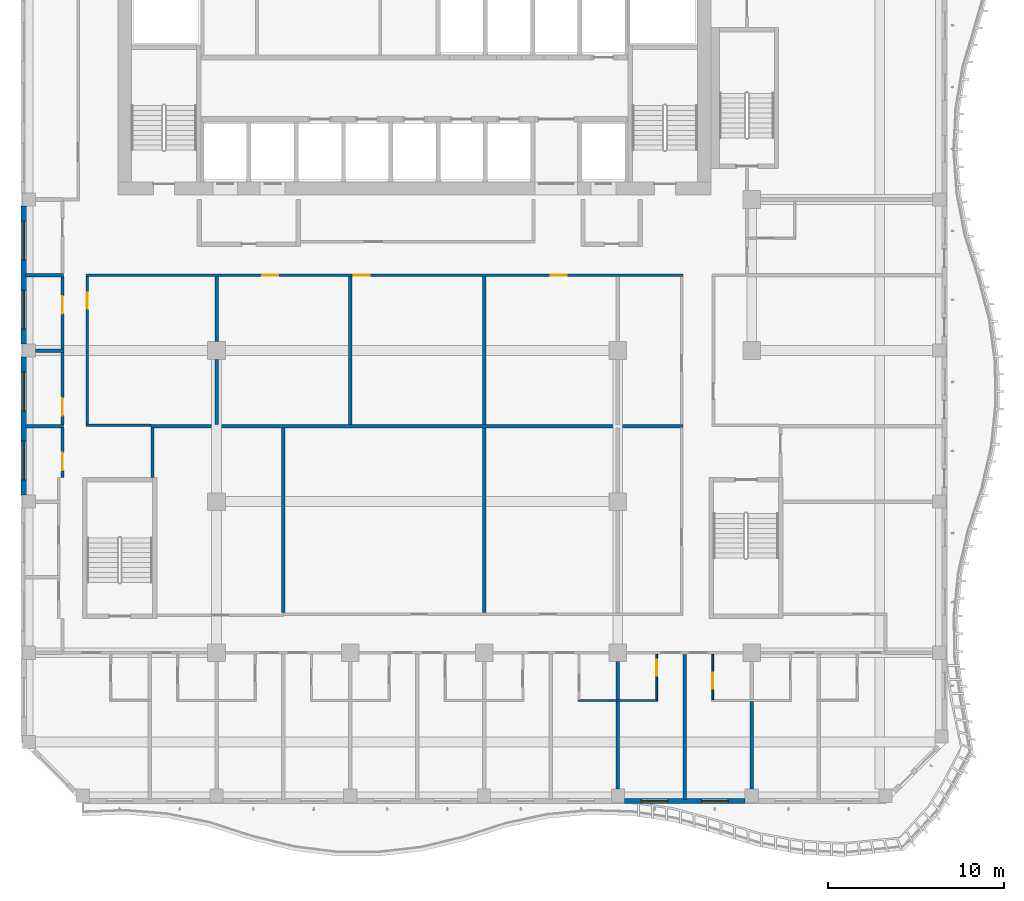
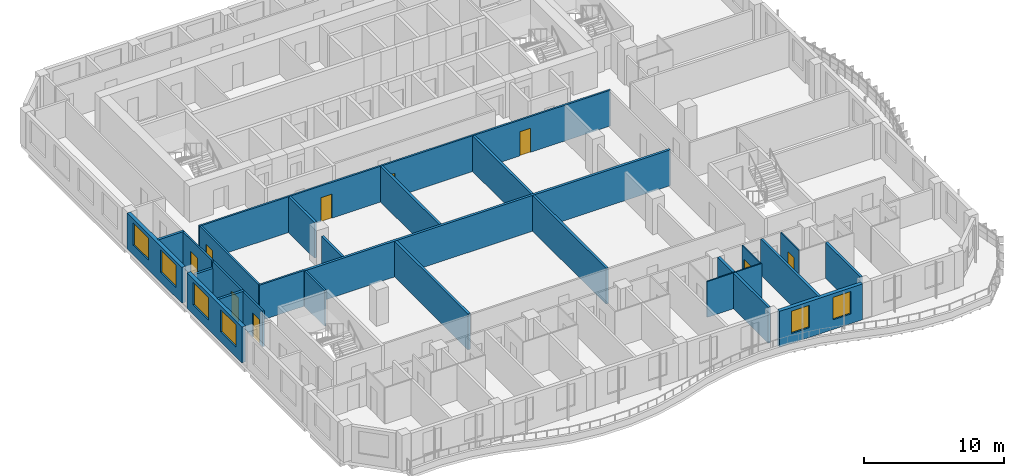
# One storey, part 4 of 22: 27 walls, 9 doors, 6 windows, 15 openings.
"""IFC4 building model written with IfcOpenShell, lengths in metres."""

from ifc_helpers import new_model, si_unit, direction, frame, frame_2d, origin, place, context, subcontext, project, spatial, rectangle, extrude, source, transform, mapped, material, layer, layer_set, type_object, element, fill, save


model = new_model("IFC4")

# Units and contexts
model_context = context("Model", 3, precision=1e-05, world=origin(), true_north=direction((0.0, 1.0)))
body_context = subcontext(model_context, "Body", "Model", "MODEL_VIEW")
ifc_project = project(units=[si_unit("LENGTHUNIT", "METRE"), si_unit("AREAUNIT", "SQUARE_METRE"), si_unit("VOLUMEUNIT", "CUBIC_METRE"), si_unit("PLANEANGLEUNIT", "RADIAN"), si_unit("MASSUNIT", "GRAM", prefix="KILO")], contexts=[model_context])

# Site, building, storey
site_placement = place(None, origin())
site = spatial("IfcSite", under=ifc_project, at=site_placement, CompositionType="ELEMENT")
building_placement = place(site_placement, origin())
building = spatial("IfcBuilding", under=site, at=building_placement, Name="Kilnfold Tower and Market Hall", CompositionType="ELEMENT")
storey_placement = place(building_placement, frame((0.0, 0.0, 206.699951171875)))
storey = spatial("IfcBuildingStorey", under=building, at=storey_placement, Name="L50", CompositionType="ELEMENT", Elevation=206.699951171875)

# Wall, opening, door
ifc_material_1 = material(Name="Gypsum board on steel studs", Category="steel")
ifc_layer_1 = layer(ifc_material_1, 0.14990234375)
ifc_layer_set_1 = layer_set([ifc_layer_1], Name="Gypsum board on steel studs")
wall_type_1 = type_object("IfcWallType", Name="WALL CORRIDOR 150", PredefinedType="PARTITIONING", material=ifc_layer_set_1)
wall_1_placement = place(storey_placement, frame((-18.89990234375, -7.757080078125, 0.0), z_axis=(0.0, 0.0, 1.0), x_axis=(0.0, 1.0, 0.0)))
wall_1 = element("IfcWall", 1, at=wall_1_placement, inside=storey, type_object=wall_type_1, Name="Partition LY30.12", PredefinedType="PARTITIONING", context=body_context, shape_type="SweptSolid", body=[
    extrude(rectangle(XDim=2.823974609375, YDim=0.14990234375, at=frame_2d((1.412109375, 0.0))), origin(), (0.0, 0.0, 1.0), 3.1201171875),
])
opening_1_placement = place(wall_1_placement, frame((0.403076171875, 0.0, 0.0)))
opening_1 = element("IfcOpeningElement", 2, at=opening_1_placement, cuts=wall_1, Name="Opening D4", PredefinedType="OPENING", context=body_context, shape_type="SweptSolid", body=[
    extrude(rectangle(XDim=1.0, YDim=2.10009765625, at=frame_2d((0.5, 1.050048828125))), frame((0.0, 0.0849609375, 0.0), z_axis=(0.0, -1.0, 0.0), x_axis=(1.0, 0.0, 0.0)), (0.0, 0.0, 1.0), 0.169921875),
])
ifc_material_2 = material(Name="Timber veneer door leaf in steel frame", Category="steel")
door_type_1 = type_object("IfcDoorType", Name="DOOR SERVICE 1000 X2100", OperationType="NOTDEFINED", PredefinedType="DOOR", material=ifc_material_2)
door_1_placement = place(opening_1_placement, origin())
door_1 = element("IfcDoor", 3, at=door_1_placement, inside=storey, type_object=door_type_1, Name="Door D4", OperationType="SINGLE_SWING_LEFT", OverallHeight=2.10009765625, OverallWidth=1.0, PredefinedType="DOOR", context=body_context, shape_type="SweptSolid", body=[
    extrude(rectangle(XDim=1.0, YDim=2.10009765625, at=frame_2d((0.5, 1.050048828125))), frame((0.0, 0.02490234375, 0.0), z_axis=(0.0, -1.0, 0.0), x_axis=(1.0, 0.0, 0.0)), (0.0, 0.0, 1.0), 0.050048828125),
])
fill(opening_1, door_1)

wall_2_placement = place(storey_placement, frame((-18.89990234375, -4.7529296875, 0.0), z_axis=(0.0, 0.0, 1.0), x_axis=(0.0, 1.0, 0.0)))
wall_2 = element("IfcWall", 4, at=wall_2_placement, inside=storey, type_object=wall_type_1, Name="Partition LY30.14", PredefinedType="PARTITIONING", context=body_context, shape_type="SweptSolid", body=[
    extrude(rectangle(XDim=4.100830078125, YDim=0.14990234375, at=frame_2d((2.05029296875, 0.0))), origin(), (0.0, 0.0, 1.0), 3.1201171875),
])
opening_2_placement = place(wall_2_placement, frame((0.5, 0.0, 0.0)))
opening_2 = element("IfcOpeningElement", 5, at=opening_2_placement, cuts=wall_2, Name="Opening D4", PredefinedType="OPENING", context=body_context, shape_type="SweptSolid", body=[
    extrude(rectangle(XDim=1.0, YDim=2.10009765625, at=frame_2d((0.5, 1.050048828125))), frame((0.0, 0.0849609375, 0.0), z_axis=(0.0, -1.0, 0.0), x_axis=(1.0, 0.0, 0.0)), (0.0, 0.0, 1.0), 0.169921875),
])
door_2_placement = place(opening_2_placement, origin())
door_2 = element("IfcDoor", 6, at=door_2_placement, inside=storey, type_object=door_type_1, Name="Door D4", OperationType="SINGLE_SWING_LEFT", OverallHeight=2.10009765625, OverallWidth=1.0, PredefinedType="DOOR", context=body_context, shape_type="SweptSolid", body=[
    extrude(rectangle(XDim=1.0, YDim=2.10009765625, at=frame_2d((0.5, 1.050048828125))), frame((0.0, 0.02490234375, 0.0), z_axis=(0.0, -1.0, 0.0), x_axis=(1.0, 0.0, 0.0)), (0.0, 0.0, 1.0), 0.050048828125),
])
fill(opening_2, door_2)

wall_3_placement = place(storey_placement, frame((-18.89990234375, -0.471923828125, 0.0), z_axis=(0.0, 0.0, 1.0), x_axis=(0.0, 1.0, 0.0)))
wall_3 = element("IfcWall", 7, at=wall_3_placement, inside=storey, type_object=wall_type_1, Name="Partition LY30.15", PredefinedType="PARTITIONING", context=body_context, shape_type="SweptSolid", body=[
    extrude(rectangle(XDim=4.100830078125, YDim=0.14990234375, at=frame_2d((2.05029296875, 0.0))), origin(), (0.0, 0.0, 1.0), 3.1201171875),
])
opening_3_placement = place(wall_3_placement, frame((2.0009765625, 0.0, 0.0)))
opening_3 = element("IfcOpeningElement", 8, at=opening_3_placement, cuts=wall_3, Name="Opening D4", PredefinedType="OPENING", context=body_context, shape_type="SweptSolid", body=[
    extrude(rectangle(XDim=1.0, YDim=2.10009765625, at=frame_2d((0.5, 1.050048828125))), frame((0.0, 0.0849609375, 0.0), z_axis=(0.0, -1.0, 0.0), x_axis=(1.0, 0.0, 0.0)), (0.0, 0.0, 1.0), 0.169921875),
])
door_3_placement = place(opening_3_placement, origin())
door_3 = element("IfcDoor", 9, at=door_3_placement, inside=storey, type_object=door_type_1, Name="Door D4", OperationType="SINGLE_SWING_RIGHT", OverallHeight=2.10009765625, OverallWidth=1.0, PredefinedType="DOOR", context=body_context, shape_type="SweptSolid", body=[
    extrude(rectangle(XDim=1.0, YDim=2.10009765625, at=frame_2d((0.5, 1.050048828125))), frame((0.0, 0.02490234375, 0.0), z_axis=(0.0, -1.0, 0.0), x_axis=(1.0, 0.0, 0.0)), (0.0, 0.0, 1.0), 0.050048828125),
])
fill(opening_3, door_3)

# Wall
wall_4_placement = place(storey_placement, frame((-17.574951171875, -4.800048828125, 0.0), z_axis=(0.0, 0.0, 1.0), x_axis=(1.0, 0.0, 0.0)))
element("IfcWall", 10, at=wall_4_placement, inside=storey, type_object=wall_type_1, Name="Partition LY30.34", PredefinedType="PARTITIONING", context=body_context, shape_type="SweptSolid", body=[
    extrude(rectangle(XDim=3.701904296875, YDim=0.14990234375, at=frame_2d((1.85107421875, 0.0))), origin(), (0.0, 0.0, 1.0), 3.1201171875),
])

# Wall, openings, doors
wall_5_placement = place(storey_placement, frame((-17.574951171875, 3.699951171875, 0.0), z_axis=(0.0, 0.0, 1.0), x_axis=(1.0, 0.0, 0.0)))
wall_5 = element("IfcWall", 11, at=wall_5_placement, inside=storey, type_object=wall_type_1, Name="Partition LY30.35", PredefinedType="PARTITIONING", context=body_context, shape_type="SweptSolid", body=[
    extrude(rectangle(XDim=33.849853515625, YDim=0.14990234375, at=frame_2d((16.9248046875, 0.0))), origin(), (0.0, 0.0, 1.0), 3.1201171875),
])
opening_4_placement = place(wall_5_placement, frame((10.0, 0.0, 0.0)))
opening_4 = element("IfcOpeningElement", 12, at=opening_4_placement, cuts=wall_5, Name="Opening D2", PredefinedType="OPENING", context=body_context, shape_type="SweptSolid", body=[
    extrude(rectangle(XDim=0.89990234375, YDim=2.10009765625, at=frame_2d((0.449951171875, 1.050048828125))), frame((0.0, 0.0849609375, 0.0), z_axis=(0.0, -1.0, 0.0), x_axis=(1.0, 0.0, 0.0)), (0.0, 0.0, 1.0), 0.169921875),
])
opening_5_placement = place(wall_5_placement, frame((15.181884765625, 0.0, 0.0)))
opening_5 = element("IfcOpeningElement", 13, at=opening_5_placement, cuts=wall_5, Name="Opening D2", PredefinedType="OPENING", context=body_context, shape_type="SweptSolid", body=[
    extrude(rectangle(XDim=0.89990234375, YDim=2.10009765625, at=frame_2d((0.449951171875, 1.050048828125))), frame((0.0, 0.0849609375, 0.0), z_axis=(0.0, -1.0, 0.0), x_axis=(1.0, 0.0, 0.0)), (0.0, 0.0, 1.0), 0.169921875),
])
opening_6_placement = place(wall_5_placement, frame((26.366943359375, 0.0, 0.0)))
opening_6 = element("IfcOpeningElement", 14, at=opening_6_placement, cuts=wall_5, Name="Opening D2", PredefinedType="OPENING", context=body_context, shape_type="SweptSolid", body=[
    extrude(rectangle(XDim=0.89990234375, YDim=2.10009765625, at=frame_2d((0.449951171875, 1.050048828125))), frame((0.0, 0.0849609375, 0.0), z_axis=(0.0, -1.0, 0.0), x_axis=(1.0, 0.0, 0.0)), (0.0, 0.0, 1.0), 0.169921875),
])
ifc_material_3 = material(Name="Timber veneer door leaf in steel frame", Category="steel")
door_type_2 = type_object("IfcDoorType", Name="DOOR ROOM 900 X2100", OperationType="NOTDEFINED", PredefinedType="DOOR", material=ifc_material_3)
door_4_placement = place(opening_4_placement, origin())
door_4 = element("IfcDoor", 15, at=door_4_placement, inside=storey, type_object=door_type_2, Name="Door D2", OperationType="SINGLE_SWING_LEFT", OverallHeight=2.10009765625, OverallWidth=0.89990234375, PredefinedType="DOOR", context=body_context, shape_type="SweptSolid", body=[
    extrude(rectangle(XDim=0.89990234375, YDim=2.10009765625, at=frame_2d((0.449951171875, 1.050048828125))), frame((0.0, 0.02490234375, 0.0), z_axis=(0.0, -1.0, 0.0), x_axis=(1.0, 0.0, 0.0)), (0.0, 0.0, 1.0), 0.050048828125),
])
fill(opening_4, door_4)
door_5_placement = place(opening_5_placement, origin())
door_5 = element("IfcDoor", 16, at=door_5_placement, inside=storey, type_object=door_type_2, Name="Door D2", OperationType="SINGLE_SWING_LEFT", OverallHeight=2.10009765625, OverallWidth=0.89990234375, PredefinedType="DOOR", context=body_context, shape_type="SweptSolid", body=[
    extrude(rectangle(XDim=0.89990234375, YDim=2.10009765625, at=frame_2d((0.449951171875, 1.050048828125))), frame((0.0, 0.02490234375, 0.0), z_axis=(0.0, -1.0, 0.0), x_axis=(1.0, 0.0, 0.0)), (0.0, 0.0, 1.0), 0.050048828125),
])
fill(opening_5, door_5)
door_6_placement = place(opening_6_placement, origin())
door_6 = element("IfcDoor", 17, at=door_6_placement, inside=storey, type_object=door_type_2, Name="Door D2", OperationType="SINGLE_SWING_LEFT", OverallHeight=2.10009765625, OverallWidth=0.89990234375, PredefinedType="DOOR", context=body_context, shape_type="SweptSolid", body=[
    extrude(rectangle(XDim=0.89990234375, YDim=2.10009765625, at=frame_2d((0.449951171875, 1.050048828125))), frame((0.0, 0.02490234375, 0.0), z_axis=(0.0, -1.0, 0.0), x_axis=(1.0, 0.0, 0.0)), (0.0, 0.0, 1.0), 0.050048828125),
])
fill(opening_6, door_6)

# Wall, opening, door
wall_6_placement = place(storey_placement, frame((-17.5, -4.72509765625, 0.0), z_axis=(0.0, 0.0, 1.0), x_axis=(0.0, 1.0, 0.0)))
wall_6 = element("IfcWall", 18, at=wall_6_placement, inside=storey, type_object=wall_type_1, Name="Partition LY30.36", PredefinedType="PARTITIONING", context=body_context, shape_type="SweptSolid", body=[
    extrude(rectangle(XDim=8.35009765625, YDim=0.14990234375, at=frame_2d((4.175048828125, 0.0))), origin(), (0.0, 0.0, 1.0), 3.1201171875),
])
opening_7_placement = place(wall_6_placement, frame((6.544921875, 0.0, 0.0)))
opening_7 = element("IfcOpeningElement", 19, at=opening_7_placement, cuts=wall_6, Name="Opening D2", PredefinedType="OPENING", context=body_context, shape_type="SweptSolid", body=[
    extrude(rectangle(XDim=0.89990234375, YDim=2.10009765625, at=frame_2d((0.449951171875, 1.050048828125))), frame((0.0, 0.0849609375, 0.0), z_axis=(0.0, -1.0, 0.0), x_axis=(1.0, 0.0, 0.0)), (0.0, 0.0, 1.0), 0.169921875),
])
door_7_placement = place(opening_7_placement, origin())
door_7 = element("IfcDoor", 20, at=door_7_placement, inside=storey, type_object=door_type_2, Name="Door D2", OperationType="SINGLE_SWING_RIGHT", OverallHeight=2.10009765625, OverallWidth=0.89990234375, PredefinedType="DOOR", context=body_context, shape_type="SweptSolid", body=[
    extrude(rectangle(XDim=0.89990234375, YDim=2.10009765625, at=frame_2d((0.449951171875, 1.050048828125))), frame((0.0, 0.02490234375, 0.0), z_axis=(0.0, -1.0, 0.0), x_axis=(1.0, 0.0, 0.0)), (0.0, 0.0, 1.0), 0.050048828125),
])
fill(opening_7, door_7)

# Walls
wall_7_placement = place(storey_placement, frame((-13.800048828125, -7.75, 0.0), z_axis=(0.0, 0.0, 1.0), x_axis=(0.0, 1.0, 0.0)))
element("IfcWall", 21, at=wall_7_placement, inside=storey, type_object=wall_type_1, Name="Partition LY30.38", PredefinedType="PARTITIONING", context=body_context, shape_type="SweptSolid", body=[
    extrude(rectangle(XDim=2.81689453125, YDim=0.14990234375, at=frame_2d((1.408447265625, 0.0))), origin(), (0.0, 0.0, 1.0), 3.1201171875),
])
ifc_material_4 = material(Name="Gypsum board on steel studs", Category="steel")
ifc_layer_2 = layer(ifc_material_4, 0.10009765625)
ifc_layer_set_2 = layer_set([ifc_layer_2], Name="Gypsum board on steel studs")
wall_type_2 = type_object("IfcWallType", Name="WALL PARTITION 100", PredefinedType="PARTITIONING", material=ifc_layer_set_2)
wall_8_placement = place(storey_placement, frame((10.3330078125, -20.402099609375, 0.0), z_axis=(0.0, 0.0, 1.0), x_axis=(1.0, 0.0, 0.0)))
element("IfcWall", 22, at=wall_8_placement, inside=storey, type_object=wall_type_2, Name="Partition LY30.66", PredefinedType="PARTITIONING", context=body_context, shape_type="SweptSolid", body=[
    extrude(rectangle(XDim=4.5, YDim=0.10009765625, at=frame_2d((2.25, 0.0))), origin(), (0.0, 0.0, 1.0), 3.1201171875),
])

# Wall, opening, door
wall_9_placement = place(storey_placement, frame((14.782958984375, -17.777099609375, 0.0), z_axis=(0.0, 0.0, 1.0), x_axis=(0.0, -1.0, 0.0)))
wall_9 = element("IfcWall", 23, at=wall_9_placement, inside=storey, type_object=wall_type_2, Name="Partition LY30.69", PredefinedType="PARTITIONING", context=body_context, shape_type="SweptSolid", body=[
    extrude(rectangle(XDim=2.574951171875, YDim=0.10009765625, at=frame_2d((1.28759765625, 0.0))), origin(), (0.0, 0.0, 1.0), 3.1201171875),
])
opening_8_placement = place(wall_9_placement, frame((0.305908203125, 0.0, 0.0)))
opening_8 = element("IfcOpeningElement", 24, at=opening_8_placement, cuts=wall_9, Name="Opening D3", PredefinedType="OPENING", context=body_context, shape_type="SweptSolid", body=[
    extrude(rectangle(XDim=0.89990234375, YDim=2.10009765625, at=frame_2d((0.449951171875, 1.050048828125))), frame((0.0, 0.06005859375, 0.0), z_axis=(0.0, -1.0, 0.0), x_axis=(1.0, 0.0, 0.0)), (0.0, 0.0, 1.0), 0.1201171875),
])
ifc_material_5 = material(Name="Timber veneer door leaf in steel frame", Category="steel")
door_type_3 = type_object("IfcDoorType", Name="DOOR WC 900 X2100", OperationType="NOTDEFINED", PredefinedType="DOOR", material=ifc_material_5)
door_8_placement = place(opening_8_placement, origin())
door_8 = element("IfcDoor", 25, at=door_8_placement, inside=storey, type_object=door_type_3, Name="Door D3", OperationType="SINGLE_SWING_RIGHT", OverallHeight=2.10009765625, OverallWidth=0.89990234375, PredefinedType="DOOR", context=body_context, shape_type="SweptSolid", body=[
    extrude(rectangle(XDim=0.89990234375, YDim=2.10009765625, at=frame_2d((0.449951171875, 1.050048828125))), frame((0.0, 0.02490234375, 0.0), z_axis=(0.0, -1.0, 0.0), x_axis=(1.0, 0.0, 0.0)), (0.0, 0.0, 1.0), 0.050048828125),
])
fill(opening_8, door_8)

wall_10_placement = place(storey_placement, frame((17.967041015625, -20.35205078125, 0.0), z_axis=(0.0, 0.0, 1.0), x_axis=(0.0, 1.0, 0.0)))
wall_10 = element("IfcWall", 26, at=wall_10_placement, inside=storey, type_object=wall_type_2, Name="Partition LY30.71", PredefinedType="PARTITIONING", context=body_context, shape_type="SweptSolid", body=[
    extrude(rectangle(XDim=2.574951171875, YDim=0.10009765625, at=frame_2d((1.28759765625, 0.0))), origin(), (0.0, 0.0, 1.0), 3.1201171875),
])
opening_9_placement = place(wall_10_placement, frame((0.625, 0.0, 0.0)))
opening_9 = element("IfcOpeningElement", 27, at=opening_9_placement, cuts=wall_10, Name="Opening D3", PredefinedType="OPENING", context=body_context, shape_type="SweptSolid", body=[
    extrude(rectangle(XDim=0.89990234375, YDim=2.10009765625, at=frame_2d((0.449951171875, 1.050048828125))), frame((0.0, 0.06005859375, 0.0), z_axis=(0.0, -1.0, 0.0), x_axis=(1.0, 0.0, 0.0)), (0.0, 0.0, 1.0), 0.1201171875),
])
door_9_placement = place(opening_9_placement, origin())
door_9 = element("IfcDoor", 28, at=door_9_placement, inside=storey, type_object=door_type_3, Name="Door D3", OperationType="SINGLE_SWING_LEFT", OverallHeight=2.10009765625, OverallWidth=0.89990234375, PredefinedType="DOOR", context=body_context, shape_type="SweptSolid", body=[
    extrude(rectangle(XDim=0.89990234375, YDim=2.10009765625, at=frame_2d((0.449951171875, 1.050048828125))), frame((0.0, 0.02490234375, 0.0), z_axis=(0.0, -1.0, 0.0), x_axis=(1.0, 0.0, 0.0)), (0.0, 0.0, 1.0), 0.050048828125),
])
fill(opening_9, door_9)

# Walls
ifc_material_6 = material(Name="Gypsum board on steel studs", Category="steel")
ifc_layer_3 = layer(ifc_material_6, 0.199951171875)
ifc_layer_set_3 = layer_set([ifc_layer_3], Name="Gypsum board on steel studs")
wall_type_3 = type_object("IfcWallType", Name="WALL PARTY 200", PredefinedType="PARTITIONING", material=ifc_layer_set_3)
wall_11_placement = place(storey_placement, frame((12.5830078125, -25.425048828125, 0.0), z_axis=(0.0, 0.0, 1.0), x_axis=(0.0, 1.0, 0.0)))
element("IfcWall", 29, at=wall_11_placement, inside=storey, type_object=wall_type_3, Name="Partition LY30.67", PredefinedType="PARTITIONING", context=body_context, shape_type="SweptSolid", body=[
    extrude(rectangle(XDim=4.97314453125, YDim=0.199951171875, at=frame_2d((2.486572265625, 0.0))), origin(), (0.0, 0.0, 1.0), 3.1201171875),
])
wall_12_placement = place(storey_placement, frame((12.5830078125, -20.35205078125, 0.0), z_axis=(0.0, 0.0, 1.0), x_axis=(0.0, 1.0, 0.0)))
element("IfcWall", 30, at=wall_12_placement, inside=storey, type_object=wall_type_3, Name="Partition LY30.68", PredefinedType="PARTITIONING", context=body_context, shape_type="SweptSolid", body=[
    extrude(rectangle(XDim=2.1640625, YDim=0.199951171875, at=frame_2d((1.08203125, 0.0))), origin(), (0.0, 0.0, 1.0), 3.1201171875),
])
wall_13_placement = place(storey_placement, frame((16.375, -26.0, 0.0), z_axis=(0.0, 0.0, 1.0), x_axis=(0.0, 1.0, 0.0)))
element("IfcWall", 31, at=wall_13_placement, inside=storey, type_object=wall_type_3, Name="Partition LY30.70", PredefinedType="PARTITIONING", context=body_context, shape_type="SweptSolid", body=[
    extrude(rectangle(XDim=8.222900390625, YDim=0.199951171875, at=frame_2d((4.111328125, 0.0))), origin(), (0.0, 0.0, 1.0), 3.1201171875),
])
wall_14_placement = place(storey_placement, frame((20.1669921875, -25.425048828125, 0.0), z_axis=(0.0, 0.0, 1.0), x_axis=(0.0, 1.0, 0.0)))
element("IfcWall", 32, at=wall_14_placement, inside=storey, type_object=wall_type_3, Name="Partition LY30.73", PredefinedType="PARTITIONING", context=body_context, shape_type="SweptSolid", body=[
    extrude(rectangle(XDim=4.97314453125, YDim=0.199951171875, at=frame_2d((2.486572265625, 0.0))), origin(), (0.0, 0.0, 1.0), 3.1201171875),
])
wall_15_placement = place(storey_placement, frame((-21.0, -4.843017578125, 0.0), z_axis=(0.0, 0.0, 1.0), x_axis=(1.0, 0.0, 0.0)))
element("IfcWall", 33, at=wall_15_placement, inside=storey, type_object=wall_type_3, Name="Partition LY30.85", PredefinedType="PARTITIONING", context=body_context, shape_type="SweptSolid", body=[
    extrude(rectangle(XDim=2.173095703125, YDim=0.199951171875, at=frame_2d((1.08642578125, 0.0))), origin(), (0.0, 0.0, 1.0), 3.1201171875),
])
wall_16_placement = place(storey_placement, frame((-18.826904296875, -0.56201171875, 0.0), z_axis=(0.0, 0.0, 1.0), x_axis=(-1.0, 0.0, 0.0)))
element("IfcWall", 34, at=wall_16_placement, inside=storey, type_object=wall_type_3, Name="Partition LY30.86", PredefinedType="PARTITIONING", context=body_context, shape_type="SweptSolid", body=[
    extrude(rectangle(XDim=1.59814453125, YDim=0.199951171875, at=frame_2d((0.799072265625, 0.0))), origin(), (0.0, 0.0, 1.0), 2.52001953125),
])
wall_17_placement = place(storey_placement, frame((-21.0, 3.718994140625, 0.0), z_axis=(0.0, 0.0, 1.0), x_axis=(1.0, 0.0, 0.0)))
element("IfcWall", 35, at=wall_17_placement, inside=storey, type_object=wall_type_3, Name="Partition LY30.87", PredefinedType="PARTITIONING", context=body_context, shape_type="SweptSolid", body=[
    extrude(rectangle(XDim=2.173095703125, YDim=0.199951171875, at=frame_2d((1.08642578125, 0.0))), origin(), (0.0, 0.0, 1.0), 3.1201171875),
])
wall_18_placement = place(storey_placement, frame((-10.1669921875, -0.06201171875, 0.0), z_axis=(0.0, 0.0, 1.0), x_axis=(0.0, 1.0, 0.0)))
element("IfcWall", 36, at=wall_18_placement, inside=storey, type_object=wall_type_3, Name="Partition LY30.110", PredefinedType="PARTITIONING", context=body_context, shape_type="SweptSolid", body=[
    extrude(rectangle(XDim=3.68505859375, YDim=0.199951171875, at=frame_2d((1.842529296875, 0.0))), origin(), (0.0, 0.0, 1.0), 3.1201171875),
])
wall_19_placement = place(storey_placement, frame((-10.1669921875, -4.742919921875, 0.0), z_axis=(0.0, 0.0, 1.0), x_axis=(0.0, 1.0, 0.0)))
element("IfcWall", 37, at=wall_19_placement, inside=storey, type_object=wall_type_3, Name="Partition LY30.111", PredefinedType="PARTITIONING", context=body_context, shape_type="SweptSolid", body=[
    extrude(rectangle(XDim=3.680908203125, YDim=0.199951171875, at=frame_2d((1.84033203125, 0.0))), origin(), (0.0, 0.0, 1.0), 2.52001953125),
])
wall_20_placement = place(storey_placement, frame((-13.873046875, -4.843017578125, 0.0), z_axis=(0.0, 0.0, 1.0), x_axis=(1.0, 0.0, 0.0)))
element("IfcWall", 38, at=wall_20_placement, inside=storey, type_object=wall_type_3, Name="Partition LY30.112", PredefinedType="PARTITIONING", context=body_context, shape_type="SweptSolid", body=[
    extrude(rectangle(XDim=30.14599609375, YDim=0.199951171875, at=frame_2d((15.072998046875, 0.0))), origin(), (0.0, 0.0, 1.0), 3.1201171875),
])
for number, where, z_axis, x_axis, name in (
    (39, (-2.5830078125, -4.742919921875, 0.0), (0.0, 0.0, 1.0), (0.0, 1.0, 0.0), "Partition LY30.113"),
    (40, (5.0, -4.742919921875, 0.0), (0.0, 0.0, 1.0), (0.0, 1.0, 0.0), "Partition LY30.114"),
):
    element("IfcWall", number, at=place(storey_placement, frame(where, z_axis=z_axis, x_axis=x_axis)), inside=storey, type_object=wall_type_3, Name=name, PredefinedType="PARTITIONING", context=body_context, shape_type="SweptSolid", body=[
        extrude(rectangle(XDim=8.365966796875, YDim=0.199951171875, at=frame_2d((4.18310546875, 0.0))), origin(), (0.0, 0.0, 1.0), 3.1201171875),
    ])
for number, where, z_axis, x_axis, name in (
    (41, (-6.375, -15.423095703125, 0.0), (0.0, 0.0, 1.0), (0.0, 1.0, 0.0), "Partition LY30.117"),
    (42, (5.0, -15.423095703125, 0.0), (0.0, 0.0, 1.0), (0.0, 1.0, 0.0), "Partition LY30.118"),
):
    element("IfcWall", number, at=place(storey_placement, frame(where, z_axis=z_axis, x_axis=x_axis)), inside=storey, type_object=wall_type_3, Name=name, PredefinedType="PARTITIONING", context=body_context, shape_type="SweptSolid", body=[
        extrude(rectangle(XDim=10.47998046875, YDim=0.199951171875, at=frame_2d((5.239990234375, 0.0))), origin(), (0.0, 0.0, 1.0), 3.1201171875),
    ])

# Wall, openings, windows
ifc_material_7 = material(Name="Precast concrete C50/60", Category="concrete")
ifc_layer_4 = layer(ifc_material_7, 0.300048828125)
ifc_layer_set_4 = layer_set([ifc_layer_4], Name="Precast concrete C50/60")
wall_type_4 = type_object("IfcWallType", Name="PRECAST WALL 300", PredefinedType="SOLIDWALL", material=ifc_layer_set_4)
shared_shape_1 = source(origin(), body_context, "Body", "SweptSolid", [
    extrude(rectangle(XDim=6.83349609375, YDim=0.300048828125, at=frame_2d((3.416748046875, 0.0))), origin(), (0.0, 0.0, 1.0), 3.1201171875),
])
wall_21_placement = place(storey_placement, frame((12.958251953125, -26.10009765625, 0.0), z_axis=(0.0, 0.0, 1.0), x_axis=(1.0, 0.0, 0.0)))
wall_21 = element("IfcWall", 43, at=wall_21_placement, inside=storey, type_object=wall_type_4, Name="External wall L50 S", PredefinedType="SOLIDWALL", context=body_context, shape_type="MappedRepresentation", body=[
    mapped(shared_shape_1, transform((0.0, 0.0, 0.0))),
])
opening_10_placement = place(wall_21_placement, frame((0.958251953125, 0.0, 0.85009765625)))
opening_10 = element("IfcOpeningElement", 44, at=opening_10_placement, cuts=wall_21, Name="Opening W4", PredefinedType="OPENING", context=body_context, shape_type="SweptSolid", body=[
    extrude(rectangle(XDim=1.5, YDim=1.949951171875, at=frame_2d((0.75, 0.97509765625))), frame((0.0, 0.16015625, 0.0), z_axis=(0.0, -1.0, 0.0), x_axis=(1.0, 0.0, 0.0)), (0.0, 0.0, 1.0), 0.320068359375),
])
opening_11_placement = place(wall_21_placement, frame((4.375, 0.0, 0.85009765625)))
opening_11 = element("IfcOpeningElement", 45, at=opening_11_placement, cuts=wall_21, Name="Opening W4", PredefinedType="OPENING", context=body_context, shape_type="SweptSolid", body=[
    extrude(rectangle(XDim=1.5, YDim=1.949951171875, at=frame_2d((0.75, 0.97509765625))), frame((0.0, 0.16015625, 0.0), z_axis=(0.0, -1.0, 0.0), x_axis=(1.0, 0.0, 0.0)), (0.0, 0.0, 1.0), 0.320068359375),
])
ifc_material_8 = material(Name="Aluminium frame and double glazing", Category="aluminium")
window_type_1 = type_object("IfcWindowType", Name="WINDOW W4 1500X1950", PartitioningType="SINGLE_PANEL", PredefinedType="WINDOW", material=ifc_material_8)
window_1_placement = place(opening_10_placement, origin())
window_1 = element("IfcWindow", 46, at=window_1_placement, inside=storey, type_object=window_type_1, Name="Window W4 L50 S-1", OverallHeight=1.949951171875, OverallWidth=1.5, PartitioningType="SINGLE_PANEL", PredefinedType="WINDOW", context=body_context, shape_type="SweptSolid", body=[
    extrude(rectangle(XDim=1.5, YDim=1.949951171875, at=frame_2d((0.75, 0.97509765625))), frame((0.0, 0.030029296875, 0.0), z_axis=(0.0, -1.0, 0.0), x_axis=(1.0, 0.0, 0.0)), (0.0, 0.0, 1.0), 0.06005859375),
])
fill(opening_10, window_1)
window_2_placement = place(opening_11_placement, origin())
window_2 = element("IfcWindow", 47, at=window_2_placement, inside=storey, type_object=window_type_1, Name="Window W4 L50 S-2", OverallHeight=1.949951171875, OverallWidth=1.5, PartitioningType="SINGLE_PANEL", PredefinedType="WINDOW", context=body_context, shape_type="SweptSolid", body=[
    extrude(rectangle(XDim=1.5, YDim=1.949951171875, at=frame_2d((0.75, 0.97509765625))), frame((0.0, 0.030029296875, 0.0), z_axis=(0.0, -1.0, 0.0), x_axis=(1.0, 0.0, 0.0)), (0.0, 0.0, 1.0), 0.06005859375),
])
fill(opening_11, window_2)

shared_shape_2 = source(origin(), body_context, "Body", "SweptSolid", [
    extrude(rectangle(XDim=7.8125, YDim=0.300048828125, at=frame_2d((3.90625, 0.0))), origin(), (0.0, 0.0, 1.0), 3.1201171875),
])
wall_22_placement = place(storey_placement, frame((-21.10009765625, 7.625, 0.0), z_axis=(0.0, 0.0, 1.0), x_axis=(0.0, -1.0, 0.0)))
wall_22 = element("IfcWall", 48, at=wall_22_placement, inside=storey, type_object=wall_type_4, Name="External wall L50 W", PredefinedType="SOLIDWALL", context=body_context, shape_type="MappedRepresentation", body=[
    mapped(shared_shape_2, transform((0.0, 0.0, 0.0))),
])
opening_12_placement = place(wall_22_placement, frame((0.85302734375, 0.0, 0.85009765625)))
opening_12 = element("IfcOpeningElement", 49, at=opening_12_placement, cuts=wall_22, Name="Opening W2", PredefinedType="OPENING", context=body_context, shape_type="SweptSolid", body=[
    extrude(rectangle(XDim=2.199951171875, YDim=1.949951171875, at=frame_2d((1.10009765625, 0.97509765625))), frame((0.0, 0.16015625, 0.0), z_axis=(0.0, -1.0, 0.0), x_axis=(1.0, 0.0, 0.0)), (0.0, 0.0, 1.0), 0.320068359375),
])
opening_13_placement = place(wall_22_placement, frame((4.75927734375, 0.0, 0.85009765625)))
opening_13 = element("IfcOpeningElement", 50, at=opening_13_placement, cuts=wall_22, Name="Opening W2", PredefinedType="OPENING", context=body_context, shape_type="SweptSolid", body=[
    extrude(rectangle(XDim=2.199951171875, YDim=1.949951171875, at=frame_2d((1.10009765625, 0.97509765625))), frame((0.0, 0.16015625, 0.0), z_axis=(0.0, -1.0, 0.0), x_axis=(1.0, 0.0, 0.0)), (0.0, 0.0, 1.0), 0.320068359375),
])
ifc_material_9 = material(Name="Aluminium frame and double glazing", Category="aluminium")
window_type_2 = type_object("IfcWindowType", Name="WINDOW W2 2200X1950", PartitioningType="SINGLE_PANEL", PredefinedType="WINDOW", material=ifc_material_9)
window_3_placement = place(opening_12_placement, origin())
window_3 = element("IfcWindow", 51, at=window_3_placement, inside=storey, type_object=window_type_2, Name="Window W2 L50 W-1", OverallHeight=1.949951171875, OverallWidth=2.199951171875, PartitioningType="SINGLE_PANEL", PredefinedType="WINDOW", context=body_context, shape_type="SweptSolid", body=[
    extrude(rectangle(XDim=2.199951171875, YDim=1.949951171875, at=frame_2d((1.10009765625, 0.97509765625))), frame((0.0, 0.030029296875, 0.0), z_axis=(0.0, -1.0, 0.0), x_axis=(1.0, 0.0, 0.0)), (0.0, 0.0, 1.0), 0.06005859375),
])
fill(opening_12, window_3)
window_4_placement = place(opening_13_placement, origin())
window_4 = element("IfcWindow", 52, at=window_4_placement, inside=storey, type_object=window_type_2, Name="Window W2 L50 W-2", OverallHeight=1.949951171875, OverallWidth=2.199951171875, PartitioningType="SINGLE_PANEL", PredefinedType="WINDOW", context=body_context, shape_type="SweptSolid", body=[
    extrude(rectangle(XDim=2.199951171875, YDim=1.949951171875, at=frame_2d((1.10009765625, 0.97509765625))), frame((0.0, 0.030029296875, 0.0), z_axis=(0.0, -1.0, 0.0), x_axis=(1.0, 0.0, 0.0)), (0.0, 0.0, 1.0), 0.06005859375),
])
fill(opening_13, window_4)

wall_23_placement = place(storey_placement, frame((-21.10009765625, -0.9375, 0.0), z_axis=(0.0, 0.0, 1.0), x_axis=(0.0, -1.0, 0.0)))
wall_23 = element("IfcWall", 53, at=wall_23_placement, inside=storey, type_object=wall_type_4, Name="External wall L50 W", PredefinedType="SOLIDWALL", context=body_context, shape_type="MappedRepresentation", body=[
    mapped(shared_shape_2, transform((0.0, 0.0, 0.0))),
])
opening_14_placement = place(wall_23_placement, frame((0.853271484375, 0.0, 0.85009765625)))
opening_14 = element("IfcOpeningElement", 54, at=opening_14_placement, cuts=wall_23, Name="Opening W2", PredefinedType="OPENING", context=body_context, shape_type="SweptSolid", body=[
    extrude(rectangle(XDim=2.199951171875, YDim=1.949951171875, at=frame_2d((1.10009765625, 0.97509765625))), frame((0.0, 0.16015625, 0.0), z_axis=(0.0, -1.0, 0.0), x_axis=(1.0, 0.0, 0.0)), (0.0, 0.0, 1.0), 0.320068359375),
])
opening_15_placement = place(wall_23_placement, frame((4.759521484375, 0.0, 0.85009765625)))
opening_15 = element("IfcOpeningElement", 55, at=opening_15_placement, cuts=wall_23, Name="Opening W2", PredefinedType="OPENING", context=body_context, shape_type="SweptSolid", body=[
    extrude(rectangle(XDim=2.199951171875, YDim=1.949951171875, at=frame_2d((1.10009765625, 0.97509765625))), frame((0.0, 0.16015625, 0.0), z_axis=(0.0, -1.0, 0.0), x_axis=(1.0, 0.0, 0.0)), (0.0, 0.0, 1.0), 0.320068359375),
])
window_5_placement = place(opening_14_placement, origin())
window_5 = element("IfcWindow", 56, at=window_5_placement, inside=storey, type_object=window_type_2, Name="Window W2 L50 W-1", OverallHeight=1.949951171875, OverallWidth=2.199951171875, PartitioningType="SINGLE_PANEL", PredefinedType="WINDOW", context=body_context, shape_type="SweptSolid", body=[
    extrude(rectangle(XDim=2.199951171875, YDim=1.949951171875, at=frame_2d((1.10009765625, 0.97509765625))), frame((0.0, 0.030029296875, 0.0), z_axis=(0.0, -1.0, 0.0), x_axis=(1.0, 0.0, 0.0)), (0.0, 0.0, 1.0), 0.06005859375),
])
fill(opening_14, window_5)
window_6_placement = place(opening_15_placement, origin())
window_6 = element("IfcWindow", 57, at=window_6_placement, inside=storey, type_object=window_type_2, Name="Window W2 L50 W-2", OverallHeight=1.949951171875, OverallWidth=2.199951171875, PartitioningType="SINGLE_PANEL", PredefinedType="WINDOW", context=body_context, shape_type="SweptSolid", body=[
    extrude(rectangle(XDim=2.199951171875, YDim=1.949951171875, at=frame_2d((1.10009765625, 0.97509765625))), frame((0.0, 0.030029296875, 0.0), z_axis=(0.0, -1.0, 0.0), x_axis=(1.0, 0.0, 0.0)), (0.0, 0.0, 1.0), 0.06005859375),
])
fill(opening_15, window_6)

save(model, "model.ifc")
